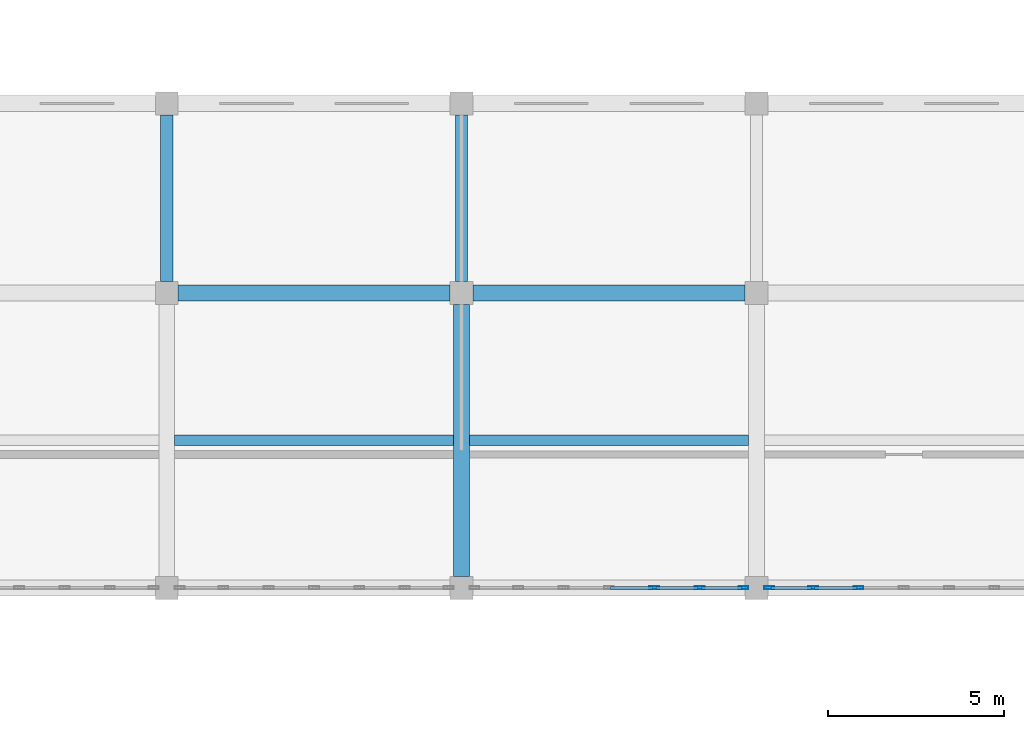
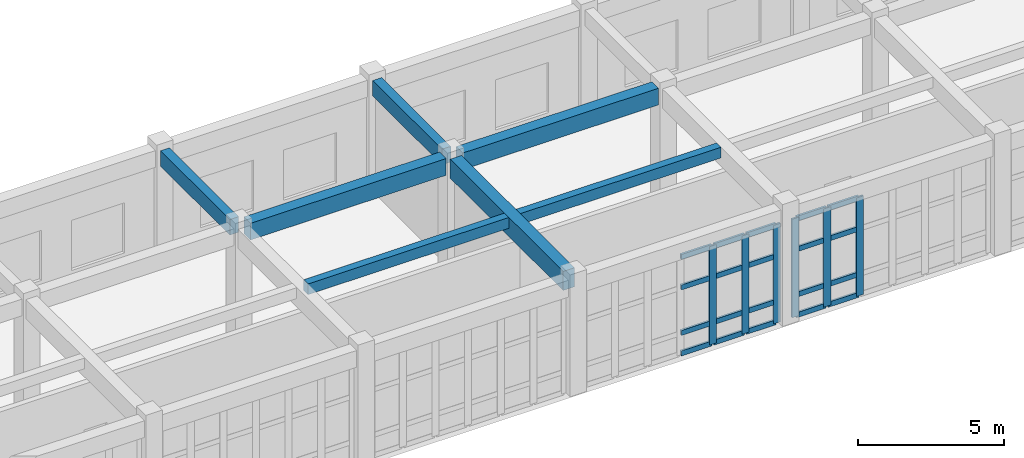
# One storey, part 36 of 80: 26 members, 7 beams, 2 elements without a shape of their own.
"""IFC4 building model written with IfcOpenShell, lengths in metres."""

from ifc_helpers import new_model, si_unit, direction, frame, origin, origin_2d, place, context, subcontext, project, spatial, rectangle, hollow_rectangle, extrude, material, layer, layer_set, material_profile, profile_set, type_object, element, aggregate, save


model = new_model("IFC4")

# Units and contexts
model_context = context("Model", 3, precision=1e-05, world=origin(), true_north=direction((0.0, 1.0)))
body_context = subcontext(model_context, "Body", "Model", "MODEL_VIEW")
ifc_project = project(units=[si_unit("LENGTHUNIT", "METRE"), si_unit("AREAUNIT", "SQUARE_METRE"), si_unit("VOLUMEUNIT", "CUBIC_METRE"), si_unit("PLANEANGLEUNIT", "RADIAN"), si_unit("MASSUNIT", "GRAM", prefix="KILO")], contexts=[model_context])

# Site, building, storey
site_placement = place(None, origin())
site = spatial("IfcSite", under=ifc_project, at=site_placement, CompositionType="ELEMENT")
building_placement = place(site_placement, origin())
building = spatial("IfcBuilding", under=site, at=building_placement, Name="Krzemoval Escarpment Law Courts", CompositionType="ELEMENT")
storey_placement = place(building_placement, origin())
storey = spatial("IfcBuildingStorey", under=building, at=storey_placement, Name="L00", CompositionType="ELEMENT", Elevation=0.0)

# Beams
ifc_material_1 = material(Name="Concrete C40/50", Category="concrete")
ifc_material_profile_1 = material_profile(ifc_material_1, rectangle(XDim=0.35009765625, YDim=0.64990234375, at=origin_2d()), Name="RCB 350x650")
ifc_profile_set_1 = profile_set([ifc_material_profile_1], Name="Concrete C40/50")
beam_type_1 = type_object("IfcBeamType", Name="BM-RC-350x650", PredefinedType="BEAM", material=ifc_profile_set_1)
for number, where, z_axis, x_axis, name in (
    (1, (67.199951171875, 108.324951171875, 4.4951171875), (0.0, 1.0, 0.0), (-1.0, 0.0, 0.0), "Beam FG-L00-0911"),
    (2, (75.60009765625, 108.324951171875, 4.4951171875), (0.0, 1.0, 0.0), (-1.0, 0.0, 0.0), "Beam FG-L00-0917"),
):
    element("IfcBeam", number, at=place(storey_placement, frame(where, z_axis=z_axis, x_axis=x_axis)), inside=storey, type_object=beam_type_1, Name=name, PredefinedType="BEAM", context=body_context, shape_type="SweptSolid", body=[
        extrude(rectangle(XDim=0.35009765625, YDim=0.64990234375, at=origin_2d()), origin(), (0.0, 0.0, 1.0), 4.75),
    ])
ifc_material_2 = material(Name="Concrete C40/50", Category="concrete")
ifc_material_profile_2 = material_profile(ifc_material_2, rectangle(XDim=0.449951171875, YDim=0.699951171875, at=origin_2d()), Name="RCB 450x700")
ifc_profile_set_2 = profile_set([ifc_material_profile_2], Name="Concrete C40/50")
beam_type_2 = type_object("IfcBeamType", Name="BM-RC-450x700", PredefinedType="BEAM", material=ifc_profile_set_2)
for number, where, z_axis, x_axis, name in (
    (3, (67.52490234375, 108.0, 4.469970703125), (1.0, 0.0, 0.0), (0.0, 1.0, 0.0), "Beam FG-L00-0768"),
    (4, (75.925048828125, 108.0, 4.469970703125), (1.0, 0.0, 0.0), (0.0, 1.0, 0.0), "Beam FG-L00-0769"),
):
    element("IfcBeam", number, at=place(storey_placement, frame(where, z_axis=z_axis, x_axis=x_axis)), inside=storey, type_object=beam_type_2, Name=name, PredefinedType="BEAM", context=body_context, shape_type="SweptSolid", body=[
        extrude(rectangle(XDim=0.449951171875, YDim=0.699951171875, at=origin_2d()), origin(), (0.0, 0.0, 1.0), 7.75),
    ])
ifc_material_3 = material(Name="Concrete C40/50", Category="concrete")
ifc_material_profile_3 = material_profile(ifc_material_3, rectangle(XDim=0.449951171875, YDim=0.800048828125, at=origin_2d()), Name="RCB 450x800")
ifc_profile_set_3 = profile_set([ifc_material_profile_3], Name="Concrete C40/50")
beam_type_3 = type_object("IfcBeamType", Name="BM-RC-450x800", PredefinedType="BEAM", material=ifc_profile_set_3)
beam_placement = place(storey_placement, frame((75.60009765625, 99.925048828125, 4.419921875), z_axis=(0.0, 1.0, 0.0), x_axis=(-1.0, 0.0, 0.0)))
element("IfcBeam", 5, at=beam_placement, inside=storey, type_object=beam_type_3, Name="Beam FG-L00-0916", PredefinedType="BEAM", context=body_context, shape_type="SweptSolid", body=[
    extrude(rectangle(XDim=0.449951171875, YDim=0.800048828125, at=origin_2d()), origin(), (0.0, 0.0, 1.0), 7.75),
])

# Curtain wall, members
ifc_material_4 = material(Name="Aluminium 6063-T6", Category="aluminium")
ifc_layer = layer(ifc_material_4, 0.280029296875)
ifc_layer_set = layer_set([ifc_layer], Name="Aluminium 6063-T6")
curtain_wall_type = type_object("IfcCurtainWallType", Name="CW-HALL-5100", PredefinedType="USERDEFINED", material=ifc_layer_set)
curtain_wall_1_placement = place(storey_placement, origin())
curtain_wall_1 = element("IfcCurtainWall", 6, at=curtain_wall_1_placement, inside=storey, type_object=curtain_wall_type, Name="Unitised Curtain Wall FCW-L00-009", ObjectType="UNITISED_CURTAIN_WALL", PredefinedType="USERDEFINED")
ifc_material_5 = material(Name="Aluminium 6063-T6", Category="aluminium")
ifc_material_profile_4 = material_profile(ifc_material_5, hollow_rectangle(XDim=0.0849609375, YDim=0.280029296875, WallThickness=0.005615234375, at=origin_2d()), Name="ALU M85x280")
ifc_profile_set_4 = profile_set([ifc_material_profile_4], Name="Aluminium 6063-T6")
member_type_1 = type_object("IfcMemberType", Name="CWM-85x280", PredefinedType="MULLION", material=ifc_profile_set_4)
member_1_placement = place(storey_placement, frame((86.908447265625, 99.60009765625, 0.0), z_axis=(0.0, 0.0, 1.0), x_axis=(0.0, -1.0, 0.0)))
member_1 = element("IfcMember", 7, at=member_1_placement, type_object=member_type_1, Name="FCW-L00-009 mullion 5", PredefinedType="MULLION", context=body_context, shape_type="SweptSolid", body=[
    extrude(hollow_rectangle(XDim=0.0849609375, YDim=0.280029296875, WallThickness=0.005615234375, at=origin_2d()), origin(), (0.0, 0.0, 1.0), 4.1201171875),
])
member_2_placement = place(storey_placement, frame((85.61669921875, 99.60009765625, 0.0), z_axis=(0.0, 0.0, 1.0), x_axis=(0.0, -1.0, 0.0)))
member_2 = element("IfcMember", 8, at=member_2_placement, type_object=member_type_1, Name="FCW-L00-009 mullion 6", PredefinedType="MULLION", context=body_context, shape_type="SweptSolid", body=[
    extrude(hollow_rectangle(XDim=0.0849609375, YDim=0.280029296875, WallThickness=0.005615234375, at=origin_2d()), origin(), (0.0, 0.0, 1.0), 4.1201171875),
])
member_3_placement = place(storey_placement, frame((84.367431640625, 99.60009765625, 0.0), z_axis=(0.0, 0.0, 1.0), x_axis=(0.0, -1.0, 0.0)))
member_3 = element("IfcMember", 9, at=member_3_placement, type_object=member_type_1, Name="FCW-L00-009 mullion 7", PredefinedType="MULLION", context=body_context, shape_type="SweptSolid", body=[
    extrude(hollow_rectangle(XDim=0.0849609375, YDim=0.280029296875, WallThickness=0.005615234375, at=origin_2d()), origin(), (0.0, 0.0, 1.0), 4.1201171875),
])

curtain_wall_2_placement = place(storey_placement, origin())
curtain_wall_2 = element("IfcCurtainWall", 10, at=curtain_wall_2_placement, inside=storey, type_object=curtain_wall_type, Name="Unitised Curtain Wall FCW-L00-010", ObjectType="UNITISED_CURTAIN_WALL", PredefinedType="USERDEFINED")
member_4_placement = place(storey_placement, frame((83.632568359375, 99.60009765625, 0.0), z_axis=(0.0, 0.0, 1.0), x_axis=(0.0, -1.0, 0.0)))
member_4 = element("IfcMember", 11, at=member_4_placement, type_object=member_type_1, Name="FCW-L00-010 mullion 1", PredefinedType="MULLION", context=body_context, shape_type="SweptSolid", body=[
    extrude(hollow_rectangle(XDim=0.0849609375, YDim=0.280029296875, WallThickness=0.005615234375, at=origin_2d()), origin(), (0.0, 0.0, 1.0), 4.1201171875),
])
member_5_placement = place(storey_placement, frame((82.38330078125, 99.60009765625, 0.0), z_axis=(0.0, 0.0, 1.0), x_axis=(0.0, -1.0, 0.0)))
member_5 = element("IfcMember", 12, at=member_5_placement, type_object=member_type_1, Name="FCW-L00-010 mullion 2", PredefinedType="MULLION", context=body_context, shape_type="SweptSolid", body=[
    extrude(hollow_rectangle(XDim=0.0849609375, YDim=0.280029296875, WallThickness=0.005615234375, at=origin_2d()), origin(), (0.0, 0.0, 1.0), 4.1201171875),
])
member_6_placement = place(storey_placement, frame((81.091552734375, 99.60009765625, 0.0), z_axis=(0.0, 0.0, 1.0), x_axis=(0.0, -1.0, 0.0)))
member_6 = element("IfcMember", 13, at=member_6_placement, type_object=member_type_1, Name="FCW-L00-010 mullion 3", PredefinedType="MULLION", context=body_context, shape_type="SweptSolid", body=[
    extrude(hollow_rectangle(XDim=0.0849609375, YDim=0.280029296875, WallThickness=0.005615234375, at=origin_2d()), origin(), (0.0, 0.0, 1.0), 4.1201171875),
])

# Member
ifc_material_6 = material(Name="Aluminium 6063-T6", Category="aluminium")
ifc_material_profile_5 = material_profile(ifc_material_6, hollow_rectangle(XDim=0.0849609375, YDim=0.2099609375, WallThickness=0.005615234375, at=origin_2d()), Name="ALU T85x210")
ifc_profile_set_5 = profile_set([ifc_material_profile_5], Name="Aluminium 6063-T6")
member_type_2 = type_object("IfcMemberType", Name="CWT-85x210", PredefinedType="USERDEFINED", material=ifc_profile_set_5)
member_7_placement = place(storey_placement, frame((86.86572265625, 99.60009765625, 0.04248046875), z_axis=(-1.0, 0.0, 0.0), x_axis=(0.0, -1.0, 0.0)))
member_7 = element("IfcMember", 14, at=member_7_placement, type_object=member_type_2, Name="FCW-L00-009 transom 5.1", ObjectType="TRANSOM", PredefinedType="USERDEFINED", context=body_context, shape_type="SweptSolid", body=[
    extrude(hollow_rectangle(XDim=0.0849609375, YDim=0.2099609375, WallThickness=0.005615234375, at=origin_2d()), origin(), (0.0, 0.0, 1.0), 1.20654296875),
])

member_8_placement = place(storey_placement, frame((86.86572265625, 99.60009765625, 0.89990234375), z_axis=(-1.0, 0.0, 0.0), x_axis=(0.0, -1.0, 0.0)))
member_8 = element("IfcMember", 15, at=member_8_placement, type_object=member_type_2, Name="FCW-L00-009 transom 5.2", ObjectType="TRANSOM", PredefinedType="USERDEFINED", context=body_context, shape_type="SweptSolid", body=[
    extrude(hollow_rectangle(XDim=0.0849609375, YDim=0.2099609375, WallThickness=0.005615234375, at=origin_2d()), origin(), (0.0, 0.0, 1.0), 1.20654296875),
])

member_9_placement = place(storey_placement, frame((86.86572265625, 99.60009765625, 2.800048828125), z_axis=(-1.0, 0.0, 0.0), x_axis=(0.0, -1.0, 0.0)))
member_9 = element("IfcMember", 16, at=member_9_placement, type_object=member_type_2, Name="FCW-L00-009 transom 5.3", ObjectType="TRANSOM", PredefinedType="USERDEFINED", context=body_context, shape_type="SweptSolid", body=[
    extrude(hollow_rectangle(XDim=0.0849609375, YDim=0.2099609375, WallThickness=0.005615234375, at=origin_2d()), origin(), (0.0, 0.0, 1.0), 1.20654296875),
])

member_10_placement = place(storey_placement, frame((86.86572265625, 99.60009765625, 4.077392578125), z_axis=(-1.0, 0.0, 0.0), x_axis=(0.0, -1.0, 0.0)))
member_10 = element("IfcMember", 17, at=member_10_placement, type_object=member_type_2, Name="FCW-L00-009 transom 5.4", ObjectType="TRANSOM", PredefinedType="USERDEFINED", context=body_context, shape_type="SweptSolid", body=[
    extrude(hollow_rectangle(XDim=0.0849609375, YDim=0.2099609375, WallThickness=0.005615234375, at=origin_2d()), origin(), (0.0, 0.0, 1.0), 1.20654296875),
])

member_11_placement = place(storey_placement, frame((85.57421875, 99.60009765625, 0.04248046875), z_axis=(-1.0, 0.0, 0.0), x_axis=(0.0, -1.0, 0.0)))
member_11 = element("IfcMember", 18, at=member_11_placement, type_object=member_type_2, Name="FCW-L00-009 transom 6.1", ObjectType="TRANSOM", PredefinedType="USERDEFINED", context=body_context, shape_type="SweptSolid", body=[
    extrude(hollow_rectangle(XDim=0.0849609375, YDim=0.2099609375, WallThickness=0.005615234375, at=origin_2d()), origin(), (0.0, 0.0, 1.0), 1.164306640625),
])

member_12_placement = place(storey_placement, frame((85.57421875, 99.60009765625, 0.89990234375), z_axis=(-1.0, 0.0, 0.0), x_axis=(0.0, -1.0, 0.0)))
member_12 = element("IfcMember", 19, at=member_12_placement, type_object=member_type_2, Name="FCW-L00-009 transom 6.2", ObjectType="TRANSOM", PredefinedType="USERDEFINED", context=body_context, shape_type="SweptSolid", body=[
    extrude(hollow_rectangle(XDim=0.0849609375, YDim=0.2099609375, WallThickness=0.005615234375, at=origin_2d()), origin(), (0.0, 0.0, 1.0), 1.164306640625),
])

member_13_placement = place(storey_placement, frame((85.57421875, 99.60009765625, 2.800048828125), z_axis=(-1.0, 0.0, 0.0), x_axis=(0.0, -1.0, 0.0)))
member_13 = element("IfcMember", 20, at=member_13_placement, type_object=member_type_2, Name="FCW-L00-009 transom 6.3", ObjectType="TRANSOM", PredefinedType="USERDEFINED", context=body_context, shape_type="SweptSolid", body=[
    extrude(hollow_rectangle(XDim=0.0849609375, YDim=0.2099609375, WallThickness=0.005615234375, at=origin_2d()), origin(), (0.0, 0.0, 1.0), 1.164306640625),
])

member_14_placement = place(storey_placement, frame((85.57421875, 99.60009765625, 4.077392578125), z_axis=(-1.0, 0.0, 0.0), x_axis=(0.0, -1.0, 0.0)))
member_14 = element("IfcMember", 21, at=member_14_placement, type_object=member_type_2, Name="FCW-L00-009 transom 6.4", ObjectType="TRANSOM", PredefinedType="USERDEFINED", context=body_context, shape_type="SweptSolid", body=[
    extrude(hollow_rectangle(XDim=0.0849609375, YDim=0.2099609375, WallThickness=0.005615234375, at=origin_2d()), origin(), (0.0, 0.0, 1.0), 1.164306640625),
])

aggregate(curtain_wall_1, [member_1, member_2, member_3, member_7, member_8, member_9, member_10, member_11, member_12, member_13, member_14])

member_15_placement = place(storey_placement, frame((83.590087890625, 99.60009765625, 0.04248046875), z_axis=(-1.0, 0.0, 0.0), x_axis=(0.0, -1.0, 0.0)))
member_15 = element("IfcMember", 22, at=member_15_placement, type_object=member_type_2, Name="FCW-L00-010 transom 1.1", ObjectType="TRANSOM", PredefinedType="USERDEFINED", context=body_context, shape_type="SweptSolid", body=[
    extrude(hollow_rectangle(XDim=0.0849609375, YDim=0.2099609375, WallThickness=0.005615234375, at=origin_2d()), origin(), (0.0, 0.0, 1.0), 1.164306640625),
])

member_16_placement = place(storey_placement, frame((83.590087890625, 99.60009765625, 0.89990234375), z_axis=(-1.0, 0.0, 0.0), x_axis=(0.0, -1.0, 0.0)))
member_16 = element("IfcMember", 23, at=member_16_placement, type_object=member_type_2, Name="FCW-L00-010 transom 1.2", ObjectType="TRANSOM", PredefinedType="USERDEFINED", context=body_context, shape_type="SweptSolid", body=[
    extrude(hollow_rectangle(XDim=0.0849609375, YDim=0.2099609375, WallThickness=0.005615234375, at=origin_2d()), origin(), (0.0, 0.0, 1.0), 1.164306640625),
])

member_17_placement = place(storey_placement, frame((83.590087890625, 99.60009765625, 2.800048828125), z_axis=(-1.0, 0.0, 0.0), x_axis=(0.0, -1.0, 0.0)))
member_17 = element("IfcMember", 24, at=member_17_placement, type_object=member_type_2, Name="FCW-L00-010 transom 1.3", ObjectType="TRANSOM", PredefinedType="USERDEFINED", context=body_context, shape_type="SweptSolid", body=[
    extrude(hollow_rectangle(XDim=0.0849609375, YDim=0.2099609375, WallThickness=0.005615234375, at=origin_2d()), origin(), (0.0, 0.0, 1.0), 1.164306640625),
])

member_18_placement = place(storey_placement, frame((83.590087890625, 99.60009765625, 4.077392578125), z_axis=(-1.0, 0.0, 0.0), x_axis=(0.0, -1.0, 0.0)))
member_18 = element("IfcMember", 25, at=member_18_placement, type_object=member_type_2, Name="FCW-L00-010 transom 1.4", ObjectType="TRANSOM", PredefinedType="USERDEFINED", context=body_context, shape_type="SweptSolid", body=[
    extrude(hollow_rectangle(XDim=0.0849609375, YDim=0.2099609375, WallThickness=0.005615234375, at=origin_2d()), origin(), (0.0, 0.0, 1.0), 1.164306640625),
])

member_19_placement = place(storey_placement, frame((82.3408203125, 99.60009765625, 0.04248046875), z_axis=(-1.0, 0.0, 0.0), x_axis=(0.0, -1.0, 0.0)))
member_19 = element("IfcMember", 26, at=member_19_placement, type_object=member_type_2, Name="FCW-L00-010 transom 2.1", ObjectType="TRANSOM", PredefinedType="USERDEFINED", context=body_context, shape_type="SweptSolid", body=[
    extrude(hollow_rectangle(XDim=0.0849609375, YDim=0.2099609375, WallThickness=0.005615234375, at=origin_2d()), origin(), (0.0, 0.0, 1.0), 1.20654296875),
])

member_20_placement = place(storey_placement, frame((82.3408203125, 99.60009765625, 0.89990234375), z_axis=(-1.0, 0.0, 0.0), x_axis=(0.0, -1.0, 0.0)))
member_20 = element("IfcMember", 27, at=member_20_placement, type_object=member_type_2, Name="FCW-L00-010 transom 2.2", ObjectType="TRANSOM", PredefinedType="USERDEFINED", context=body_context, shape_type="SweptSolid", body=[
    extrude(hollow_rectangle(XDim=0.0849609375, YDim=0.2099609375, WallThickness=0.005615234375, at=origin_2d()), origin(), (0.0, 0.0, 1.0), 1.20654296875),
])

member_21_placement = place(storey_placement, frame((82.3408203125, 99.60009765625, 2.800048828125), z_axis=(-1.0, 0.0, 0.0), x_axis=(0.0, -1.0, 0.0)))
member_21 = element("IfcMember", 28, at=member_21_placement, type_object=member_type_2, Name="FCW-L00-010 transom 2.3", ObjectType="TRANSOM", PredefinedType="USERDEFINED", context=body_context, shape_type="SweptSolid", body=[
    extrude(hollow_rectangle(XDim=0.0849609375, YDim=0.2099609375, WallThickness=0.005615234375, at=origin_2d()), origin(), (0.0, 0.0, 1.0), 1.20654296875),
])

member_22_placement = place(storey_placement, frame((82.3408203125, 99.60009765625, 4.077392578125), z_axis=(-1.0, 0.0, 0.0), x_axis=(0.0, -1.0, 0.0)))
member_22 = element("IfcMember", 29, at=member_22_placement, type_object=member_type_2, Name="FCW-L00-010 transom 2.4", ObjectType="TRANSOM", PredefinedType="USERDEFINED", context=body_context, shape_type="SweptSolid", body=[
    extrude(hollow_rectangle(XDim=0.0849609375, YDim=0.2099609375, WallThickness=0.005615234375, at=origin_2d()), origin(), (0.0, 0.0, 1.0), 1.20654296875),
])

member_23_placement = place(storey_placement, frame((81.049072265625, 99.60009765625, 0.04248046875), z_axis=(-1.0, 0.0, 0.0), x_axis=(0.0, -1.0, 0.0)))
member_23 = element("IfcMember", 30, at=member_23_placement, type_object=member_type_2, Name="FCW-L00-010 transom 3.1", ObjectType="TRANSOM", PredefinedType="USERDEFINED", context=body_context, shape_type="SweptSolid", body=[
    extrude(hollow_rectangle(XDim=0.0849609375, YDim=0.2099609375, WallThickness=0.005615234375, at=origin_2d()), origin(), (0.0, 0.0, 1.0), 1.20654296875),
])

member_24_placement = place(storey_placement, frame((81.049072265625, 99.60009765625, 0.89990234375), z_axis=(-1.0, 0.0, 0.0), x_axis=(0.0, -1.0, 0.0)))
member_24 = element("IfcMember", 31, at=member_24_placement, type_object=member_type_2, Name="FCW-L00-010 transom 3.2", ObjectType="TRANSOM", PredefinedType="USERDEFINED", context=body_context, shape_type="SweptSolid", body=[
    extrude(hollow_rectangle(XDim=0.0849609375, YDim=0.2099609375, WallThickness=0.005615234375, at=origin_2d()), origin(), (0.0, 0.0, 1.0), 1.20654296875),
])

member_25_placement = place(storey_placement, frame((81.049072265625, 99.60009765625, 2.800048828125), z_axis=(-1.0, 0.0, 0.0), x_axis=(0.0, -1.0, 0.0)))
member_25 = element("IfcMember", 32, at=member_25_placement, type_object=member_type_2, Name="FCW-L00-010 transom 3.3", ObjectType="TRANSOM", PredefinedType="USERDEFINED", context=body_context, shape_type="SweptSolid", body=[
    extrude(hollow_rectangle(XDim=0.0849609375, YDim=0.2099609375, WallThickness=0.005615234375, at=origin_2d()), origin(), (0.0, 0.0, 1.0), 1.20654296875),
])

member_26_placement = place(storey_placement, frame((81.049072265625, 99.60009765625, 4.077392578125), z_axis=(-1.0, 0.0, 0.0), x_axis=(0.0, -1.0, 0.0)))
member_26 = element("IfcMember", 33, at=member_26_placement, type_object=member_type_2, Name="FCW-L00-010 transom 3.4", ObjectType="TRANSOM", PredefinedType="USERDEFINED", context=body_context, shape_type="SweptSolid", body=[
    extrude(hollow_rectangle(XDim=0.0849609375, YDim=0.2099609375, WallThickness=0.005615234375, at=origin_2d()), origin(), (0.0, 0.0, 1.0), 1.20654296875),
])

aggregate(curtain_wall_2, [member_4, member_5, member_6, member_15, member_16, member_17, member_18, member_19, member_20, member_21, member_22, member_23, member_24, member_25, member_26])

# Beams
ifc_material_7 = material(Name="Concrete C40/50", Category="concrete")
ifc_material_profile_6 = material_profile(ifc_material_7, rectangle(XDim=0.300048828125, YDim=0.449951171875, at=origin_2d()), Name="RCB 300x450")
ifc_profile_set_6 = profile_set([ifc_material_profile_6], Name="Concrete C40/50")
beam_type_4 = type_object("IfcBeamType", Name="JST-RC-300x450", PredefinedType="JOIST", material=ifc_profile_set_6)
for number, where, z_axis, x_axis, name in (
    (34, (67.425048828125, 103.800048828125, 4.594970703125), (1.0, 0.0, 0.0), (0.0, 1.0, 0.0), "Secondary Joist FJ-L00-1092"),
    (35, (75.824951171875, 103.800048828125, 4.594970703125), (1.0, 0.0, 0.0), (0.0, 1.0, 0.0), "Secondary Joist FJ-L00-1097"),
):
    element("IfcBeam", number, at=place(storey_placement, frame(where, z_axis=z_axis, x_axis=x_axis)), inside=storey, type_object=beam_type_4, Name=name, PredefinedType="JOIST", context=body_context, shape_type="SweptSolid", body=[
        extrude(rectangle(XDim=0.300048828125, YDim=0.449951171875, at=origin_2d()), origin(), (0.0, 0.0, 1.0), 7.949951171875),
    ])

save(model, "model.ifc")
